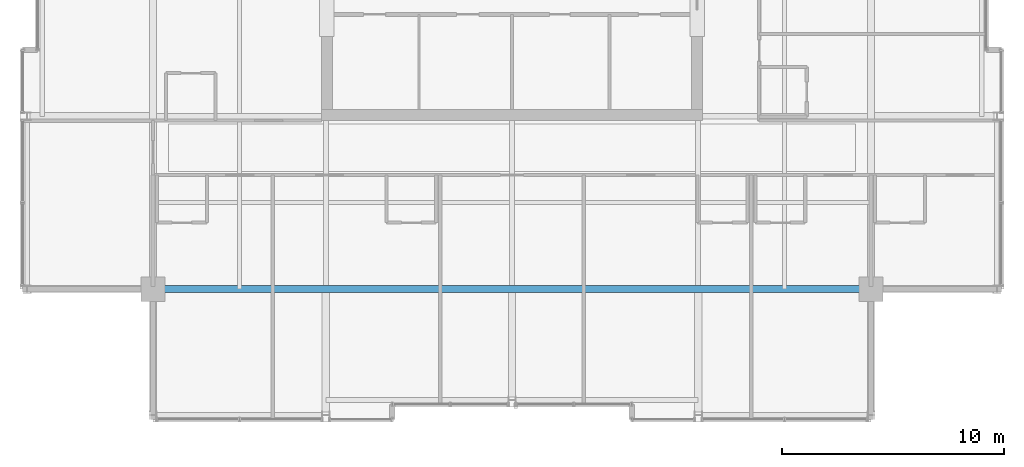
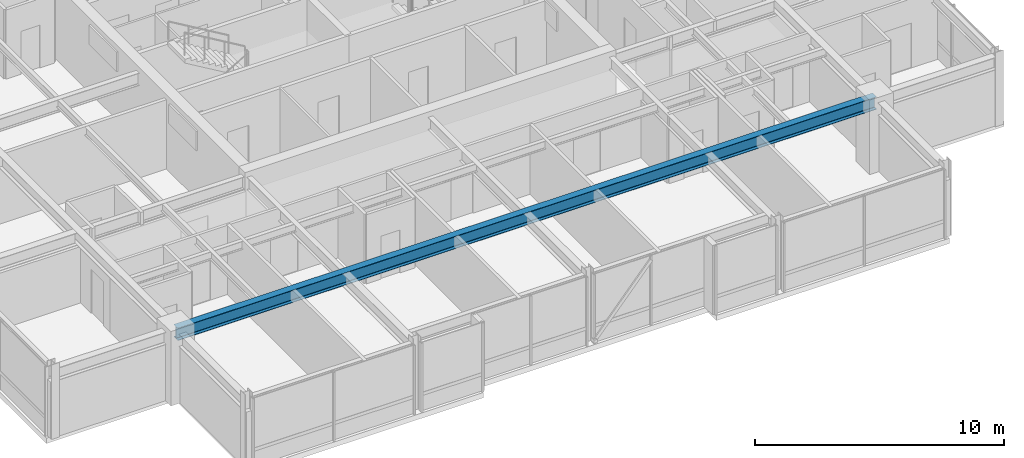
# One storey, part 9 of 34: 1 beam.
"""IFC4 building model written with IfcOpenShell, lengths in metres."""

from ifc_helpers import new_model, si_unit, direction, frame, origin, origin_2d, place, context, subcontext, project, spatial, i_section, extrude, material, material_profile, profile_set, type_object, element, save


model = new_model("IFC4")

# Units and contexts
model_context = context("Model", 3, precision=1e-05, world=origin(), true_north=direction((0.0, 1.0)))
body_context = subcontext(model_context, "Body", "Model", "MODEL_VIEW")
ifc_project = project(units=[si_unit("LENGTHUNIT", "METRE"), si_unit("AREAUNIT", "SQUARE_METRE"), si_unit("VOLUMEUNIT", "CUBIC_METRE"), si_unit("PLANEANGLEUNIT", "RADIAN"), si_unit("MASSUNIT", "GRAM", prefix="KILO")], contexts=[model_context])

# Site, building, storey
site_placement = place(None, origin())
site = spatial("IfcSite", under=ifc_project, at=site_placement, CompositionType="ELEMENT")
building_placement = place(site_placement, origin())
building = spatial("IfcBuilding", under=site, at=building_placement, Name="Drelvath Grand Hotel", CompositionType="ELEMENT")
storey_placement = place(building_placement, frame((0.0, 0.0, 272.300048828125)))
storey = spatial("IfcBuildingStorey", under=building, at=storey_placement, Name="L71", CompositionType="ELEMENT", Elevation=272.300048828125)

# Beam
ifc_material = material(Name="Steel ASTM A992 Gr 50", Category="steel")
ifc_material_profile = material_profile(ifc_material, i_section(OverallWidth=0.323974609375, OverallDepth=0.611083984375, WebThickness=0.0126953125, FlangeThickness=0.01904296875, FilletRadius=0.02197265625, at=origin_2d()), Name="W24X104")
ifc_profile_set = profile_set([ifc_material_profile], Name="Steel ASTM A992 Gr 50")
beam_type = type_object("IfcBeamType", Name="Primary Floor Girder W24X104", PredefinedType="BEAM", material=ifc_profile_set)
beam_placement = place(storey_placement, frame((-16.199951171875, 10.800048828125, 3.08447265625), z_axis=(1.0, 0.0, 0.0), x_axis=(0.0, 1.0, 0.0)))
element("IfcBeam", 1, at=beam_placement, inside=storey, type_object=beam_type, Name="L71 Mega Ring Girder South", PredefinedType="BEAM", context=body_context, shape_type="SweptSolid", body=[
    extrude(i_section(OverallWidth=0.323974609375, OverallDepth=0.611083984375, WebThickness=0.0126953125, FlangeThickness=0.01904296875, FilletRadius=0.02197265625, at=origin_2d()), origin(), (0.0, 0.0, 1.0), 32.39990234375),
])

save(model, "model.ifc")
